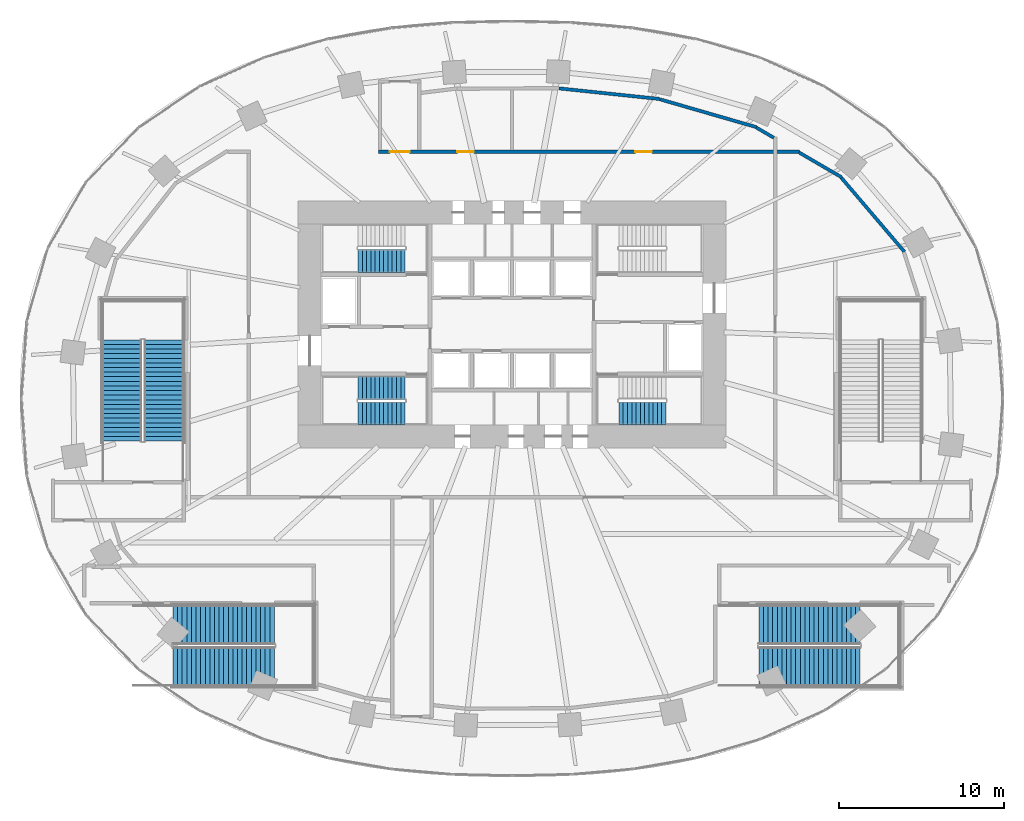
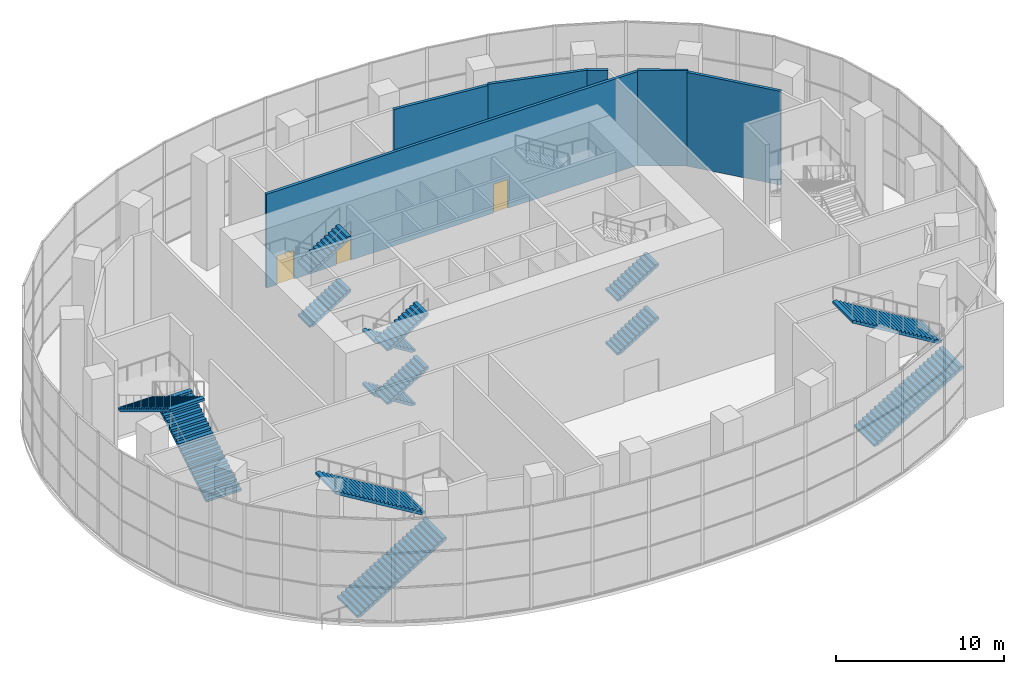
# One storey, part 16 of 22: 14 stair flights, 6 walls, 3 doors, 3 openings, 6 elements without a shape of their own.
"""IFC4 building model written with IfcOpenShell, lengths in metres."""

from ifc_helpers import new_model, si_unit, direction, frame, frame_2d, origin, place, context, subcontext, project, spatial, polyline, rectangle, outline, extrude, material, layer, layer_set, type_object, element, fill, aggregate, save


model = new_model("IFC4")

# Units and contexts
model_context = context("Model", 3, precision=1e-05, world=origin(), true_north=direction((0.0, 1.0)))
body_context = subcontext(model_context, "Body", "Model", "MODEL_VIEW")
ifc_project = project(units=[si_unit("LENGTHUNIT", "METRE"), si_unit("AREAUNIT", "SQUARE_METRE"), si_unit("VOLUMEUNIT", "CUBIC_METRE"), si_unit("PLANEANGLEUNIT", "RADIAN"), si_unit("MASSUNIT", "GRAM", prefix="KILO")], contexts=[model_context])

# Site, building, storey
site_placement = place(None, origin())
site = spatial("IfcSite", under=ifc_project, at=site_placement, CompositionType="ELEMENT")
building_placement = place(site_placement, origin())
building = spatial("IfcBuilding", under=site, at=building_placement, Name="Rubra Terraces Tower", CompositionType="ELEMENT")
storey_placement = place(building_placement, frame((0.0, 0.0, 7.199951171875)))
storey = spatial("IfcBuildingStorey", under=building, at=storey_placement, Name="L01", CompositionType="ELEMENT", Elevation=7.199951171875)

# Wall, openings, doors
ifc_material_1 = material(Name="Blockwork", Category="masonry")
ifc_layer_1 = layer(ifc_material_1, 0.199951171875)
ifc_layer_set_1 = layer_set([ifc_layer_1], Name="Blockwork")
wall_type_1 = type_object("IfcWallType", Name="Corridor partition 200 blockwork", PredefinedType="PARTITIONING", material=ifc_layer_set_1)
wall_1_placement = place(storey_placement, frame((17.45703125, 15.0, 0.0), z_axis=(0.0, 0.0, 1.0), x_axis=(-1.0, 0.0, 0.0)))
wall_1 = element("IfcWall", 1, at=wall_1_placement, inside=storey, type_object=wall_type_1, Name="Partition wall", PredefinedType="PARTITIONING", context=body_context, shape_type="SweptSolid", body=[
    extrude(rectangle(XDim=25.5849609375, YDim=0.199951171875, at=frame_2d((12.79248046875, 0.0))), origin(), (0.0, 0.0, 1.0), 6.830078125),
])
opening_1_placement = place(wall_1_placement, frame((23.68505859375, 0.0, 0.0)))
opening_1 = element("IfcOpeningElement", 2, at=opening_1_placement, cuts=wall_1, Name="Opening DB7", PredefinedType="OPENING", context=body_context, shape_type="SweptSolid", body=[
    extrude(rectangle(XDim=1.199951171875, YDim=2.10009765625, at=frame_2d((0.60009765625, 1.050048828125))), frame((0.0, 0.10986328125, 0.0), z_axis=(0.0, -1.0, 0.0), x_axis=(1.0, 0.0, 0.0)), (0.0, 0.0, 1.0), 0.219970703125),
])
opening_2_placement = place(wall_1_placement, frame((19.77099609375, 0.0, 0.0)))
opening_2 = element("IfcOpeningElement", 3, at=opening_2_placement, cuts=wall_1, Name="Opening DB1", PredefinedType="OPENING", context=body_context, shape_type="SweptSolid", body=[
    extrude(rectangle(XDim=1.0, YDim=2.10009765625, at=frame_2d((0.5, 1.050048828125))), frame((0.0, 0.10986328125, 0.0), z_axis=(0.0, -1.0, 0.0), x_axis=(1.0, 0.0, 0.0)), (0.0, 0.0, 1.0), 0.219970703125),
])
opening_3_placement = place(wall_1_placement, frame((8.95703125, 0.0, 0.0)))
opening_3 = element("IfcOpeningElement", 4, at=opening_3_placement, cuts=wall_1, Name="Opening DB1", PredefinedType="OPENING", context=body_context, shape_type="SweptSolid", body=[
    extrude(rectangle(XDim=1.0, YDim=2.10009765625, at=frame_2d((0.5, 1.050048828125))), frame((0.0, 0.10986328125, 0.0), z_axis=(0.0, -1.0, 0.0), x_axis=(1.0, 0.0, 0.0)), (0.0, 0.0, 1.0), 0.219970703125),
])
ifc_material_2 = material(Name="Painted timber", Category="wood")
door_type_1 = type_object("IfcDoorType", Name="Door 1000x2100 single", OperationType="NOTDEFINED", PredefinedType="DOOR", material=ifc_material_2)
door_1_placement = place(opening_2_placement, origin())
door_1 = element("IfcDoor", 5, at=door_1_placement, inside=storey, type_object=door_type_1, Name="Door L01-13", OperationType="SINGLE_SWING_LEFT", OverallHeight=2.10009765625, OverallWidth=1.0, PredefinedType="DOOR", context=body_context, shape_type="SweptSolid", body=[
    extrude(rectangle(XDim=1.0, YDim=2.10009765625, at=frame_2d((0.5, 1.050048828125))), frame((0.0, 0.02490234375, 0.0), z_axis=(0.0, -1.0, 0.0), x_axis=(1.0, 0.0, 0.0)), (0.0, 0.0, 1.0), 0.050048828125),
])
fill(opening_2, door_1)
door_2_placement = place(opening_3_placement, origin())
door_2 = element("IfcDoor", 6, at=door_2_placement, inside=storey, type_object=door_type_1, Name="Door L01-14", OperationType="SINGLE_SWING_LEFT", OverallHeight=2.10009765625, OverallWidth=1.0, PredefinedType="DOOR", context=body_context, shape_type="SweptSolid", body=[
    extrude(rectangle(XDim=1.0, YDim=2.10009765625, at=frame_2d((0.5, 1.050048828125))), frame((0.0, 0.02490234375, 0.0), z_axis=(0.0, -1.0, 0.0), x_axis=(1.0, 0.0, 0.0)), (0.0, 0.0, 1.0), 0.050048828125),
])
fill(opening_3, door_2)
door_type_2 = type_object("IfcDoorType", Name="Door 1200x2100 single", OperationType="NOTDEFINED", PredefinedType="DOOR", material=ifc_material_2)
door_3_placement = place(opening_1_placement, origin())
door_3 = element("IfcDoor", 7, at=door_3_placement, inside=storey, type_object=door_type_2, Name="Door L01-01", OperationType="SINGLE_SWING_LEFT", OverallHeight=2.10009765625, OverallWidth=1.199951171875, PredefinedType="DOOR", context=body_context, shape_type="SweptSolid", body=[
    extrude(rectangle(XDim=1.199951171875, YDim=2.10009765625, at=frame_2d((0.60009765625, 1.050048828125))), frame((0.0, 0.02490234375, 0.0), z_axis=(0.0, -1.0, 0.0), x_axis=(1.0, 0.0, 0.0)), (0.0, 0.0, 1.0), 0.050048828125),
])
fill(opening_1, door_3)

# Walls
wall_2_placement = place(storey_placement, frame((20.013916015625, 13.412109375, 0.0), z_axis=(0.0, 0.0, 1.0), x_axis=(0.648657765017, -0.761080221714, 0.0)))
element("IfcWall", 8, at=wall_2_placement, inside=storey, type_object=wall_type_1, Name="Partition wall", PredefinedType="PARTITIONING", context=body_context, shape_type="SweptSolid", body=[
    extrude(rectangle(XDim=5.91552734375, YDim=0.199951171875, at=frame_2d((2.957763671875, 0.0))), origin(), (0.0, 0.0, 1.0), 6.830078125),
])
wall_3_placement = place(storey_placement, frame((2.860107421875, 18.843994140625, 0.0), z_axis=(0.0, 0.0, 1.0), x_axis=(0.994494179805, -0.10479182379, 0.0)))
element("IfcWall", 9, at=wall_3_placement, inside=storey, type_object=wall_type_1, Name="Partition wall", PredefinedType="PARTITIONING", context=body_context, shape_type="SweptSolid", body=[
    extrude(rectangle(XDim=6.173828125, YDim=0.199951171875, at=frame_2d((3.0869140625, 0.0))), origin(), (0.0, 0.0, 1.0), 6.830078125),
])
ifc_layer_2 = layer(ifc_material_1, 0.199951171875)
ifc_layer_set_2 = layer_set([ifc_layer_2], Name="Blockwork")
wall_type_2 = type_object("IfcWallType", Name="Room partition 200 blockwork", PredefinedType="PARTITIONING", material=ifc_layer_set_2)
wall_4_placement = place(storey_placement, frame((17.443115234375, 14.949951171875, 0.0), z_axis=(0.0, 0.0, 1.0), x_axis=(0.863767096464, -0.503891261153, 0.0)))
element("IfcWall", 10, at=wall_4_placement, inside=storey, type_object=wall_type_2, Name="Partition wall", PredefinedType="PARTITIONING", context=body_context, shape_type="SweptSolid", body=[
    extrude(rectangle(XDim=3.00048828125, YDim=0.199951171875, at=frame_2d((1.500244140625, 0.0))), origin(), (0.0, 0.0, 1.0), 6.93408203125),
])
wall_5_placement = place(storey_placement, frame((8.9970703125, 18.178955078125, 0.0), z_axis=(0.0, 0.0, 1.0), x_axis=(0.960743591904, -0.277437831982, 0.0)))
element("IfcWall", 11, at=wall_5_placement, inside=storey, type_object=wall_type_2, Name="Partition wall", PredefinedType="PARTITIONING", context=body_context, shape_type="SweptSolid", body=[
    extrude(rectangle(XDim=6.098388671875, YDim=0.199951171875, at=frame_2d((3.04931640625, 0.0))), origin(), (0.0, 0.0, 1.0), 6.93408203125),
])
wall_6_placement = place(storey_placement, frame((14.845947265625, 16.465087890625, 0.0), z_axis=(0.0, 0.0, 1.0), x_axis=(0.863786061732, -0.503858749609, 0.0)))
element("IfcWall", 12, at=wall_6_placement, inside=storey, type_object=wall_type_2, Name="Partition wall", PredefinedType="PARTITIONING", context=body_context, shape_type="SweptSolid", body=[
    extrude(rectangle(XDim=1.236572265625, YDim=0.199951171875, at=frame_2d((0.6181640625, 0.0))), origin(), (0.0, 0.0, 1.0), 6.93408203125),
])

# Stair, stair flights
ifc_material_3 = material(Name="Concrete C40", Category="concrete")
stair_type_1 = type_object("IfcStairType", Name="Core stair 1400", PredefinedType="HALF_TURN_STAIR", material=ifc_material_3)
stair_1_placement = place(storey_placement, origin())
stair_1 = element("IfcStair", 13, at=stair_1_placement, inside=storey, type_object=stair_type_1, Name="L01 Exit stair S1", PredefinedType="HALF_TURN_STAIR")
stair_flight_type_1 = type_object("IfcStairFlightType", Name="Core stair flight 1400", PredefinedType="STRAIGHT", material=ifc_material_3)
stair_flight_1_placement = place(storey_placement, frame((-6.5, 0.64990234375, 0.0), z_axis=(0.0, 0.0, 1.0), x_axis=(-1.0, 0.0, 0.0)))
stair_flight_1 = element("IfcStairFlight", 14, at=stair_flight_1_placement, type_object=stair_flight_type_1, Name="S1 flight 1", NumberOfRisers=12, NumberOfTreads=11, PredefinedType="STRAIGHT", RiserHeight=0.1625, TreadLength=0.26, context=body_context, shape_type="SweptSolid", body=[
    extrude(outline(polyline([(0.0, 0.0), (0.0, 0.16259765625), (0.260009765625, 0.16259765625), (0.260009765625, 0.324951171875), (0.52001953125, 0.324951171875), (0.52001953125, 0.487548828125), (0.780029296875, 0.487548828125), (0.780029296875, 0.64990234375), (1.0400390625, 0.64990234375), (1.0400390625, 0.8125), (1.300048828125, 0.8125), (1.300048828125, 0.97509765625), (1.56005859375, 0.97509765625), (1.56005859375, 1.137451171875), (1.820068359375, 1.137451171875), (1.820068359375, 1.300048828125), (2.080078125, 1.300048828125), (2.080078125, 1.46240234375), (2.340087890625, 1.46240234375), (2.340087890625, 1.625), (2.60009765625, 1.625), (2.60009765625, 1.78759765625), (2.860107421875, 1.78759765625), (2.860107421875, 1.949951171875), (2.860107421875, 1.61083984375), (0.28271484375, 0.0), (0.0, 0.0)])), frame((0.0, 0.699951171875, 0.0), z_axis=(0.0, -1.0, 0.0), x_axis=(1.0, 0.0, 0.0)), (0.0, 0.0, 1.0), 1.39990234375),
])
stair_flight_2_placement = place(storey_placement, frame((-9.360107421875, -0.89990234375, 1.949951171875), z_axis=(0.0, 0.0, 1.0), x_axis=(1.0, 0.0, 0.0)))
stair_flight_2 = element("IfcStairFlight", 15, at=stair_flight_2_placement, type_object=stair_flight_type_1, Name="S1 flight 2", NumberOfRisers=12, NumberOfTreads=11, PredefinedType="STRAIGHT", RiserHeight=0.1625, TreadLength=0.26, context=body_context, shape_type="SweptSolid", body=[
    extrude(outline(polyline([(0.0, 0.0), (0.0, 0.16259765625), (0.260009765625, 0.16259765625), (0.260009765625, 0.324951171875), (0.52001953125, 0.324951171875), (0.52001953125, 0.487548828125), (0.780029296875, 0.487548828125), (0.780029296875, 0.64990234375), (1.0400390625, 0.64990234375), (1.0400390625, 0.8125), (1.300048828125, 0.8125), (1.300048828125, 0.97509765625), (1.56005859375, 0.97509765625), (1.56005859375, 1.137451171875), (1.820068359375, 1.137451171875), (1.820068359375, 1.300048828125), (2.080078125, 1.300048828125), (2.080078125, 1.46240234375), (2.340087890625, 1.46240234375), (2.340087890625, 1.625), (2.60009765625, 1.625), (2.60009765625, 1.78759765625), (2.860107421875, 1.78759765625), (2.860107421875, 1.949951171875), (2.860107421875, 1.61083984375), (0.28271484375, 0.0), (0.0, 0.0)])), frame((0.0, 0.699951171875, 0.0), z_axis=(0.0, -1.0, 0.0), x_axis=(1.0, 0.0, 0.0)), (0.0, 0.0, 1.0), 1.39990234375),
])
stair_flight_3_placement = place(storey_placement, frame((-6.5, 0.64990234375, 3.900146484375), z_axis=(0.0, 0.0, 1.0), x_axis=(-1.0, 0.0, 0.0)))
stair_flight_3 = element("IfcStairFlight", 16, at=stair_flight_3_placement, type_object=stair_flight_type_1, Name="S1 flight 3", NumberOfRisers=12, NumberOfTreads=11, PredefinedType="STRAIGHT", RiserHeight=0.1625, TreadLength=0.26, context=body_context, shape_type="SweptSolid", body=[
    extrude(outline(polyline([(0.0, 0.0), (0.0, 0.16259765625), (0.260009765625, 0.16259765625), (0.260009765625, 0.324951171875), (0.52001953125, 0.324951171875), (0.52001953125, 0.487548828125), (0.780029296875, 0.487548828125), (0.780029296875, 0.64990234375), (1.0400390625, 0.64990234375), (1.0400390625, 0.8125), (1.300048828125, 0.8125), (1.300048828125, 0.97509765625), (1.56005859375, 0.97509765625), (1.56005859375, 1.137451171875), (1.820068359375, 1.137451171875), (1.820068359375, 1.300048828125), (2.080078125, 1.300048828125), (2.080078125, 1.46240234375), (2.340087890625, 1.46240234375), (2.340087890625, 1.625), (2.60009765625, 1.625), (2.60009765625, 1.78759765625), (2.860107421875, 1.78759765625), (2.860107421875, 1.949951171875), (2.860107421875, 1.61083984375), (0.28271484375, 0.0), (0.0, 0.0)])), frame((0.0, 0.699951171875, 0.0), z_axis=(0.0, -1.0, 0.0), x_axis=(1.0, 0.0, 0.0)), (0.0, 0.0, 1.0), 1.39990234375),
])
stair_flight_4_placement = place(storey_placement, frame((-9.360107421875, -0.89990234375, 5.85009765625), z_axis=(0.0, 0.0, 1.0), x_axis=(1.0, 0.0, 0.0)))
stair_flight_4 = element("IfcStairFlight", 17, at=stair_flight_4_placement, type_object=stair_flight_type_1, Name="S1 flight 4", NumberOfRisers=12, NumberOfTreads=11, PredefinedType="STRAIGHT", RiserHeight=0.1625, TreadLength=0.26, context=body_context, shape_type="SweptSolid", body=[
    extrude(outline(polyline([(0.0, 0.0), (0.0, 0.16259765625), (0.260009765625, 0.16259765625), (0.260009765625, 0.324951171875), (0.52001953125, 0.324951171875), (0.52001953125, 0.487548828125), (0.780029296875, 0.487548828125), (0.780029296875, 0.64990234375), (1.0400390625, 0.64990234375), (1.0400390625, 0.8125), (1.300048828125, 0.8125), (1.300048828125, 0.97509765625), (1.56005859375, 0.97509765625), (1.56005859375, 1.137451171875), (1.820068359375, 1.137451171875), (1.820068359375, 1.300048828125), (2.080078125, 1.300048828125), (2.080078125, 1.46240234375), (2.340087890625, 1.46240234375), (2.340087890625, 1.625), (2.60009765625, 1.625), (2.60009765625, 1.78759765625), (2.860107421875, 1.78759765625), (2.860107421875, 1.949951171875), (2.860107421875, 1.61083984375), (0.28271484375, 0.0), (0.0, 0.0)])), frame((0.0, 0.699951171875, 0.0), z_axis=(0.0, -1.0, 0.0), x_axis=(1.0, 0.0, 0.0)), (0.0, 0.0, 1.0), 1.39990234375),
])
aggregate(stair_1, [stair_flight_1, stair_flight_2, stair_flight_3, stair_flight_4])

stair_2_placement = place(storey_placement, origin())
stair_2 = element("IfcStair", 18, at=stair_2_placement, inside=storey, type_object=stair_type_1, Name="L01 Exit stair S2", PredefinedType="HALF_TURN_STAIR")
stair_flight_5_placement = place(storey_placement, frame((-9.360107421875, 8.35009765625, 1.949951171875), z_axis=(0.0, 0.0, 1.0), x_axis=(1.0, 0.0, 0.0)))
stair_flight_5 = element("IfcStairFlight", 19, at=stair_flight_5_placement, type_object=stair_flight_type_1, Name="S2 flight 2", NumberOfRisers=12, NumberOfTreads=11, PredefinedType="STRAIGHT", RiserHeight=0.1625, TreadLength=0.26, context=body_context, shape_type="SweptSolid", body=[
    extrude(outline(polyline([(0.0, 0.0), (0.0, 0.16259765625), (0.260009765625, 0.16259765625), (0.260009765625, 0.324951171875), (0.52001953125, 0.324951171875), (0.52001953125, 0.487548828125), (0.780029296875, 0.487548828125), (0.780029296875, 0.64990234375), (1.0400390625, 0.64990234375), (1.0400390625, 0.8125), (1.300048828125, 0.8125), (1.300048828125, 0.97509765625), (1.56005859375, 0.97509765625), (1.56005859375, 1.137451171875), (1.820068359375, 1.137451171875), (1.820068359375, 1.300048828125), (2.080078125, 1.300048828125), (2.080078125, 1.46240234375), (2.340087890625, 1.46240234375), (2.340087890625, 1.625), (2.60009765625, 1.625), (2.60009765625, 1.78759765625), (2.860107421875, 1.78759765625), (2.860107421875, 1.949951171875), (2.860107421875, 1.61083984375), (0.28271484375, 0.0), (0.0, 0.0)])), frame((0.0, 0.699951171875, 0.0), z_axis=(0.0, -1.0, 0.0), x_axis=(1.0, 0.0, 0.0)), (0.0, 0.0, 1.0), 1.39990234375),
])
stair_flight_6_placement = place(storey_placement, frame((-9.360107421875, 8.35009765625, 5.85009765625), z_axis=(0.0, 0.0, 1.0), x_axis=(1.0, 0.0, 0.0)))
stair_flight_6 = element("IfcStairFlight", 20, at=stair_flight_6_placement, type_object=stair_flight_type_1, Name="S2 flight 4", NumberOfRisers=12, NumberOfTreads=11, PredefinedType="STRAIGHT", RiserHeight=0.1625, TreadLength=0.26, context=body_context, shape_type="SweptSolid", body=[
    extrude(outline(polyline([(0.0, 0.0), (0.0, 0.16259765625), (0.260009765625, 0.16259765625), (0.260009765625, 0.324951171875), (0.52001953125, 0.324951171875), (0.52001953125, 0.487548828125), (0.780029296875, 0.487548828125), (0.780029296875, 0.64990234375), (1.0400390625, 0.64990234375), (1.0400390625, 0.8125), (1.300048828125, 0.8125), (1.300048828125, 0.97509765625), (1.56005859375, 0.97509765625), (1.56005859375, 1.137451171875), (1.820068359375, 1.137451171875), (1.820068359375, 1.300048828125), (2.080078125, 1.300048828125), (2.080078125, 1.46240234375), (2.340087890625, 1.46240234375), (2.340087890625, 1.625), (2.60009765625, 1.625), (2.60009765625, 1.78759765625), (2.860107421875, 1.78759765625), (2.860107421875, 1.949951171875), (2.860107421875, 1.61083984375), (0.28271484375, 0.0), (0.0, 0.0)])), frame((0.0, 0.699951171875, 0.0), z_axis=(0.0, -1.0, 0.0), x_axis=(1.0, 0.0, 0.0)), (0.0, 0.0, 1.0), 1.39990234375),
])
aggregate(stair_2, [stair_flight_5, stair_flight_6])

stair_3_placement = place(storey_placement, origin())
stair_3 = element("IfcStair", 21, at=stair_3_placement, inside=storey, type_object=stair_type_1, Name="L01 Exit stair S4", PredefinedType="HALF_TURN_STAIR")
stair_flight_7_placement = place(storey_placement, frame((6.5, -0.89990234375, 0.0), z_axis=(0.0, 0.0, 1.0), x_axis=(1.0, 0.0, 0.0)))
stair_flight_7 = element("IfcStairFlight", 22, at=stair_flight_7_placement, type_object=stair_flight_type_1, Name="S4 flight 1", NumberOfRisers=12, NumberOfTreads=11, PredefinedType="STRAIGHT", RiserHeight=0.1625, TreadLength=0.26, context=body_context, shape_type="SweptSolid", body=[
    extrude(outline(polyline([(0.0, 0.0), (0.0, 0.16259765625), (0.260009765625, 0.16259765625), (0.260009765625, 0.324951171875), (0.52001953125, 0.324951171875), (0.52001953125, 0.487548828125), (0.780029296875, 0.487548828125), (0.780029296875, 0.64990234375), (1.0400390625, 0.64990234375), (1.0400390625, 0.8125), (1.300048828125, 0.8125), (1.300048828125, 0.97509765625), (1.56005859375, 0.97509765625), (1.56005859375, 1.137451171875), (1.820068359375, 1.137451171875), (1.820068359375, 1.300048828125), (2.080078125, 1.300048828125), (2.080078125, 1.46240234375), (2.340087890625, 1.46240234375), (2.340087890625, 1.625), (2.60009765625, 1.625), (2.60009765625, 1.78759765625), (2.860107421875, 1.78759765625), (2.860107421875, 1.949951171875), (2.860107421875, 1.61083984375), (0.28271484375, 0.0), (0.0, 0.0)])), frame((0.0, 0.699951171875, 0.0), z_axis=(0.0, -1.0, 0.0), x_axis=(1.0, 0.0, 0.0)), (0.0, 0.0, 1.0), 1.39990234375),
])
stair_flight_8_placement = place(storey_placement, frame((6.5, -0.89990234375, 3.900146484375), z_axis=(0.0, 0.0, 1.0), x_axis=(1.0, 0.0, 0.0)))
stair_flight_8 = element("IfcStairFlight", 23, at=stair_flight_8_placement, type_object=stair_flight_type_1, Name="S4 flight 3", NumberOfRisers=12, NumberOfTreads=11, PredefinedType="STRAIGHT", RiserHeight=0.1625, TreadLength=0.26, context=body_context, shape_type="SweptSolid", body=[
    extrude(outline(polyline([(0.0, 0.0), (0.0, 0.16259765625), (0.260009765625, 0.16259765625), (0.260009765625, 0.324951171875), (0.52001953125, 0.324951171875), (0.52001953125, 0.487548828125), (0.780029296875, 0.487548828125), (0.780029296875, 0.64990234375), (1.0400390625, 0.64990234375), (1.0400390625, 0.8125), (1.300048828125, 0.8125), (1.300048828125, 0.97509765625), (1.56005859375, 0.97509765625), (1.56005859375, 1.137451171875), (1.820068359375, 1.137451171875), (1.820068359375, 1.300048828125), (2.080078125, 1.300048828125), (2.080078125, 1.46240234375), (2.340087890625, 1.46240234375), (2.340087890625, 1.625), (2.60009765625, 1.625), (2.60009765625, 1.78759765625), (2.860107421875, 1.78759765625), (2.860107421875, 1.949951171875), (2.860107421875, 1.61083984375), (0.28271484375, 0.0), (0.0, 0.0)])), frame((0.0, 0.699951171875, 0.0), z_axis=(0.0, -1.0, 0.0), x_axis=(1.0, 0.0, 0.0)), (0.0, 0.0, 1.0), 1.39990234375),
])
aggregate(stair_3, [stair_flight_7, stair_flight_8])

ifc_material_4 = material(Name="Concrete C40/50", Category="concrete")
stair_type_2 = type_object("IfcStairType", Name="Public stair", PredefinedType="HALF_TURN_STAIR", material=ifc_material_4)
stair_4_placement = place(storey_placement, origin())
stair_4 = element("IfcStair", 24, at=stair_4_placement, inside=storey, type_object=stair_type_2, Name="L01 public stair PS1", PredefinedType="HALF_TURN_STAIR")
stair_flight_type_2 = type_object("IfcStairFlightType", Name="Public stair flight 2400", PredefinedType="STRAIGHT", material=ifc_material_4)
stair_flight_9_placement = place(storey_placement, frame((-21.14990234375, -2.60009765625, 0.0), z_axis=(0.0, 0.0, 1.0), x_axis=(0.0, 1.0, 0.0)))
stair_flight_9 = element("IfcStairFlight", 25, at=stair_flight_9_placement, type_object=stair_flight_type_2, Name="PS1 flight 1", NumberOfRisers=23, NumberOfTreads=22, PredefinedType="STRAIGHT", RiserHeight=0.169565217, TreadLength=0.28, context=body_context, shape_type="SweptSolid", body=[
    extrude(outline(polyline([(0.0, 0.0), (0.0, 0.169677734375), (0.280029296875, 0.169677734375), (0.280029296875, 0.339111328125), (0.56005859375, 0.339111328125), (0.56005859375, 0.5087890625), (0.840087890625, 0.5087890625), (0.840087890625, 0.67822265625), (1.1201171875, 0.67822265625), (1.1201171875, 0.847900390625), (1.39990234375, 0.847900390625), (1.39990234375, 1.017333984375), (1.679931640625, 1.017333984375), (1.679931640625, 1.18701171875), (1.9599609375, 1.18701171875), (1.9599609375, 1.3564453125), (2.239990234375, 1.3564453125), (2.239990234375, 1.526123046875), (2.52001953125, 1.526123046875), (2.52001953125, 1.695556640625), (2.800048828125, 1.695556640625), (2.800048828125, 1.865234375), (3.080078125, 1.865234375), (3.080078125, 2.03466796875), (3.360107421875, 2.03466796875), (3.360107421875, 2.204345703125), (3.639892578125, 2.204345703125), (3.639892578125, 2.3740234375), (3.919921875, 2.3740234375), (3.919921875, 2.54345703125), (4.199951171875, 2.54345703125), (4.199951171875, 2.713134765625), (4.47998046875, 2.713134765625), (4.47998046875, 2.882568359375), (4.760009765625, 2.882568359375), (4.760009765625, 3.05224609375), (5.0400390625, 3.05224609375), (5.0400390625, 3.2216796875), (5.320068359375, 3.2216796875), (5.320068359375, 3.391357421875), (5.60009765625, 3.391357421875), (5.60009765625, 3.560791015625), (5.8798828125, 3.560791015625), (5.8798828125, 3.73046875), (6.159912109375, 3.73046875), (6.159912109375, 3.89990234375), (6.159912109375, 3.55517578125), (0.289306640625, 0.0), (0.0, 0.0)])), frame((0.0, 1.199951171875, 0.0), z_axis=(0.0, -1.0, 0.0), x_axis=(1.0, 0.0, 0.0)), (0.0, 0.0, 1.0), 2.39990234375),
])
stair_flight_10_placement = place(storey_placement, frame((-23.699951171875, 3.56005859375, 3.900146484375), z_axis=(0.0, 0.0, 1.0), x_axis=(0.0, -1.0, 0.0)))
stair_flight_10 = element("IfcStairFlight", 26, at=stair_flight_10_placement, type_object=stair_flight_type_2, Name="PS1 flight 2", NumberOfRisers=23, NumberOfTreads=22, PredefinedType="STRAIGHT", RiserHeight=0.169565217, TreadLength=0.28, context=body_context, shape_type="SweptSolid", body=[
    extrude(outline(polyline([(0.0, 0.0), (0.0, 0.169677734375), (0.280029296875, 0.169677734375), (0.280029296875, 0.339111328125), (0.56005859375, 0.339111328125), (0.56005859375, 0.5087890625), (0.840087890625, 0.5087890625), (0.840087890625, 0.67822265625), (1.1201171875, 0.67822265625), (1.1201171875, 0.847900390625), (1.39990234375, 0.847900390625), (1.39990234375, 1.017333984375), (1.679931640625, 1.017333984375), (1.679931640625, 1.18701171875), (1.9599609375, 1.18701171875), (1.9599609375, 1.3564453125), (2.239990234375, 1.3564453125), (2.239990234375, 1.526123046875), (2.52001953125, 1.526123046875), (2.52001953125, 1.695556640625), (2.800048828125, 1.695556640625), (2.800048828125, 1.865234375), (3.080078125, 1.865234375), (3.080078125, 2.03466796875), (3.360107421875, 2.03466796875), (3.360107421875, 2.204345703125), (3.639892578125, 2.204345703125), (3.639892578125, 2.3740234375), (3.919921875, 2.3740234375), (3.919921875, 2.54345703125), (4.199951171875, 2.54345703125), (4.199951171875, 2.713134765625), (4.47998046875, 2.713134765625), (4.47998046875, 2.882568359375), (4.760009765625, 2.882568359375), (4.760009765625, 3.05224609375), (5.0400390625, 3.05224609375), (5.0400390625, 3.2216796875), (5.320068359375, 3.2216796875), (5.320068359375, 3.391357421875), (5.60009765625, 3.391357421875), (5.60009765625, 3.560791015625), (5.8798828125, 3.560791015625), (5.8798828125, 3.73046875), (6.159912109375, 3.73046875), (6.159912109375, 3.89990234375), (6.159912109375, 3.55517578125), (0.289306640625, 0.0), (0.0, 0.0)])), frame((0.0, 1.199951171875, 0.0), z_axis=(0.0, -1.0, 0.0), x_axis=(1.0, 0.0, 0.0)), (0.0, 0.0, 1.0), 2.39990234375),
])
aggregate(stair_4, [stair_flight_9, stair_flight_10])

stair_5_placement = place(storey_placement, origin())
stair_5 = element("IfcStair", 27, at=stair_5_placement, inside=storey, type_object=stair_type_2, Name="L01 public stair PS3", PredefinedType="HALF_TURN_STAIR")
stair_flight_11_placement = place(storey_placement, frame((-20.60009765625, -16.300048828125, 0.0), z_axis=(0.0, 0.0, 1.0), x_axis=(1.0, 0.0, 0.0)))
stair_flight_11 = element("IfcStairFlight", 28, at=stair_flight_11_placement, type_object=stair_flight_type_2, Name="PS3 flight 1", NumberOfRisers=23, NumberOfTreads=22, PredefinedType="STRAIGHT", RiserHeight=0.169565217, TreadLength=0.28, context=body_context, shape_type="SweptSolid", body=[
    extrude(outline(polyline([(0.0, 0.0), (0.0, 0.169677734375), (0.280029296875, 0.169677734375), (0.280029296875, 0.339111328125), (0.56005859375, 0.339111328125), (0.56005859375, 0.5087890625), (0.840087890625, 0.5087890625), (0.840087890625, 0.67822265625), (1.1201171875, 0.67822265625), (1.1201171875, 0.847900390625), (1.39990234375, 0.847900390625), (1.39990234375, 1.017333984375), (1.679931640625, 1.017333984375), (1.679931640625, 1.18701171875), (1.9599609375, 1.18701171875), (1.9599609375, 1.3564453125), (2.239990234375, 1.3564453125), (2.239990234375, 1.526123046875), (2.52001953125, 1.526123046875), (2.52001953125, 1.695556640625), (2.800048828125, 1.695556640625), (2.800048828125, 1.865234375), (3.080078125, 1.865234375), (3.080078125, 2.03466796875), (3.360107421875, 2.03466796875), (3.360107421875, 2.204345703125), (3.639892578125, 2.204345703125), (3.639892578125, 2.3740234375), (3.919921875, 2.3740234375), (3.919921875, 2.54345703125), (4.199951171875, 2.54345703125), (4.199951171875, 2.713134765625), (4.47998046875, 2.713134765625), (4.47998046875, 2.882568359375), (4.760009765625, 2.882568359375), (4.760009765625, 3.05224609375), (5.0400390625, 3.05224609375), (5.0400390625, 3.2216796875), (5.320068359375, 3.2216796875), (5.320068359375, 3.391357421875), (5.60009765625, 3.391357421875), (5.60009765625, 3.560791015625), (5.8798828125, 3.560791015625), (5.8798828125, 3.73046875), (6.159912109375, 3.73046875), (6.159912109375, 3.89990234375), (6.159912109375, 3.55517578125), (0.289306640625, 0.0), (0.0, 0.0)])), frame((0.0, 1.199951171875, 0.0), z_axis=(0.0, -1.0, 0.0), x_axis=(1.0, 0.0, 0.0)), (0.0, 0.0, 1.0), 2.39990234375),
])
stair_flight_12_placement = place(storey_placement, frame((-14.43994140625, -13.75, 3.900146484375), z_axis=(0.0, 0.0, 1.0), x_axis=(-1.0, 0.0, 0.0)))
stair_flight_12 = element("IfcStairFlight", 29, at=stair_flight_12_placement, type_object=stair_flight_type_2, Name="PS3 flight 2", NumberOfRisers=23, NumberOfTreads=22, PredefinedType="STRAIGHT", RiserHeight=0.169565217, TreadLength=0.28, context=body_context, shape_type="SweptSolid", body=[
    extrude(outline(polyline([(0.0, 0.0), (0.0, 0.169677734375), (0.280029296875, 0.169677734375), (0.280029296875, 0.339111328125), (0.56005859375, 0.339111328125), (0.56005859375, 0.5087890625), (0.840087890625, 0.5087890625), (0.840087890625, 0.67822265625), (1.1201171875, 0.67822265625), (1.1201171875, 0.847900390625), (1.39990234375, 0.847900390625), (1.39990234375, 1.017333984375), (1.679931640625, 1.017333984375), (1.679931640625, 1.18701171875), (1.9599609375, 1.18701171875), (1.9599609375, 1.3564453125), (2.239990234375, 1.3564453125), (2.239990234375, 1.526123046875), (2.52001953125, 1.526123046875), (2.52001953125, 1.695556640625), (2.800048828125, 1.695556640625), (2.800048828125, 1.865234375), (3.080078125, 1.865234375), (3.080078125, 2.03466796875), (3.360107421875, 2.03466796875), (3.360107421875, 2.204345703125), (3.639892578125, 2.204345703125), (3.639892578125, 2.3740234375), (3.919921875, 2.3740234375), (3.919921875, 2.54345703125), (4.199951171875, 2.54345703125), (4.199951171875, 2.713134765625), (4.47998046875, 2.713134765625), (4.47998046875, 2.882568359375), (4.760009765625, 2.882568359375), (4.760009765625, 3.05224609375), (5.0400390625, 3.05224609375), (5.0400390625, 3.2216796875), (5.320068359375, 3.2216796875), (5.320068359375, 3.391357421875), (5.60009765625, 3.391357421875), (5.60009765625, 3.560791015625), (5.8798828125, 3.560791015625), (5.8798828125, 3.73046875), (6.159912109375, 3.73046875), (6.159912109375, 3.89990234375), (6.159912109375, 3.55517578125), (0.289306640625, 0.0), (0.0, 0.0)])), frame((0.0, 1.199951171875, 0.0), z_axis=(0.0, -1.0, 0.0), x_axis=(1.0, 0.0, 0.0)), (0.0, 0.0, 1.0), 2.39990234375),
])
aggregate(stair_5, [stair_flight_11, stair_flight_12])

stair_6_placement = place(storey_placement, origin())
stair_6 = element("IfcStair", 30, at=stair_6_placement, inside=storey, type_object=stair_type_2, Name="L01 public stair PS4", PredefinedType="HALF_TURN_STAIR")
stair_flight_13_placement = place(storey_placement, frame((15.0, -16.300048828125, 0.0), z_axis=(0.0, 0.0, 1.0), x_axis=(1.0, 0.0, 0.0)))
stair_flight_13 = element("IfcStairFlight", 31, at=stair_flight_13_placement, type_object=stair_flight_type_2, Name="PS4 flight 1", NumberOfRisers=23, NumberOfTreads=22, PredefinedType="STRAIGHT", RiserHeight=0.169565217, TreadLength=0.28, context=body_context, shape_type="SweptSolid", body=[
    extrude(outline(polyline([(0.0, 0.0), (0.0, 0.169677734375), (0.280029296875, 0.169677734375), (0.280029296875, 0.339111328125), (0.56005859375, 0.339111328125), (0.56005859375, 0.5087890625), (0.840087890625, 0.5087890625), (0.840087890625, 0.67822265625), (1.1201171875, 0.67822265625), (1.1201171875, 0.847900390625), (1.39990234375, 0.847900390625), (1.39990234375, 1.017333984375), (1.679931640625, 1.017333984375), (1.679931640625, 1.18701171875), (1.9599609375, 1.18701171875), (1.9599609375, 1.3564453125), (2.239990234375, 1.3564453125), (2.239990234375, 1.526123046875), (2.52001953125, 1.526123046875), (2.52001953125, 1.695556640625), (2.800048828125, 1.695556640625), (2.800048828125, 1.865234375), (3.080078125, 1.865234375), (3.080078125, 2.03466796875), (3.360107421875, 2.03466796875), (3.360107421875, 2.204345703125), (3.639892578125, 2.204345703125), (3.639892578125, 2.3740234375), (3.919921875, 2.3740234375), (3.919921875, 2.54345703125), (4.199951171875, 2.54345703125), (4.199951171875, 2.713134765625), (4.47998046875, 2.713134765625), (4.47998046875, 2.882568359375), (4.760009765625, 2.882568359375), (4.760009765625, 3.05224609375), (5.0400390625, 3.05224609375), (5.0400390625, 3.2216796875), (5.320068359375, 3.2216796875), (5.320068359375, 3.391357421875), (5.60009765625, 3.391357421875), (5.60009765625, 3.560791015625), (5.8798828125, 3.560791015625), (5.8798828125, 3.73046875), (6.159912109375, 3.73046875), (6.159912109375, 3.89990234375), (6.159912109375, 3.55517578125), (0.289306640625, 0.0), (0.0, 0.0)])), frame((0.0, 1.199951171875, 0.0), z_axis=(0.0, -1.0, 0.0), x_axis=(1.0, 0.0, 0.0)), (0.0, 0.0, 1.0), 2.39990234375),
])
stair_flight_14_placement = place(storey_placement, frame((21.159912109375, -13.75, 3.900146484375), z_axis=(0.0, 0.0, 1.0), x_axis=(-1.0, 0.0, 0.0)))
stair_flight_14 = element("IfcStairFlight", 32, at=stair_flight_14_placement, type_object=stair_flight_type_2, Name="PS4 flight 2", NumberOfRisers=23, NumberOfTreads=22, PredefinedType="STRAIGHT", RiserHeight=0.169565217, TreadLength=0.28, context=body_context, shape_type="SweptSolid", body=[
    extrude(outline(polyline([(0.0, 0.0), (0.0, 0.169677734375), (0.280029296875, 0.169677734375), (0.280029296875, 0.339111328125), (0.56005859375, 0.339111328125), (0.56005859375, 0.5087890625), (0.840087890625, 0.5087890625), (0.840087890625, 0.67822265625), (1.1201171875, 0.67822265625), (1.1201171875, 0.847900390625), (1.39990234375, 0.847900390625), (1.39990234375, 1.017333984375), (1.679931640625, 1.017333984375), (1.679931640625, 1.18701171875), (1.9599609375, 1.18701171875), (1.9599609375, 1.3564453125), (2.239990234375, 1.3564453125), (2.239990234375, 1.526123046875), (2.52001953125, 1.526123046875), (2.52001953125, 1.695556640625), (2.800048828125, 1.695556640625), (2.800048828125, 1.865234375), (3.080078125, 1.865234375), (3.080078125, 2.03466796875), (3.360107421875, 2.03466796875), (3.360107421875, 2.204345703125), (3.639892578125, 2.204345703125), (3.639892578125, 2.3740234375), (3.919921875, 2.3740234375), (3.919921875, 2.54345703125), (4.199951171875, 2.54345703125), (4.199951171875, 2.713134765625), (4.47998046875, 2.713134765625), (4.47998046875, 2.882568359375), (4.760009765625, 2.882568359375), (4.760009765625, 3.05224609375), (5.0400390625, 3.05224609375), (5.0400390625, 3.2216796875), (5.320068359375, 3.2216796875), (5.320068359375, 3.391357421875), (5.60009765625, 3.391357421875), (5.60009765625, 3.560791015625), (5.8798828125, 3.560791015625), (5.8798828125, 3.73046875), (6.159912109375, 3.73046875), (6.159912109375, 3.89990234375), (6.159912109375, 3.55517578125), (0.289306640625, 0.0), (0.0, 0.0)])), frame((0.0, 1.199951171875, 0.0), z_axis=(0.0, -1.0, 0.0), x_axis=(1.0, 0.0, 0.0)), (0.0, 0.0, 1.0), 2.39990234375),
])
aggregate(stair_6, [stair_flight_13, stair_flight_14])

save(model, "model.ifc")
